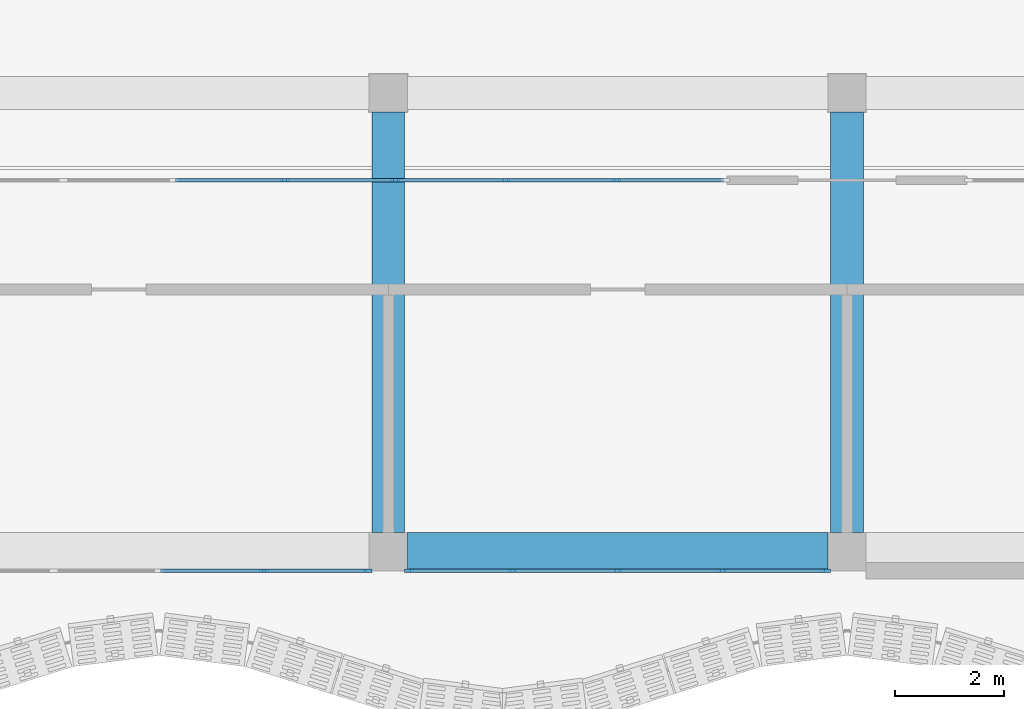
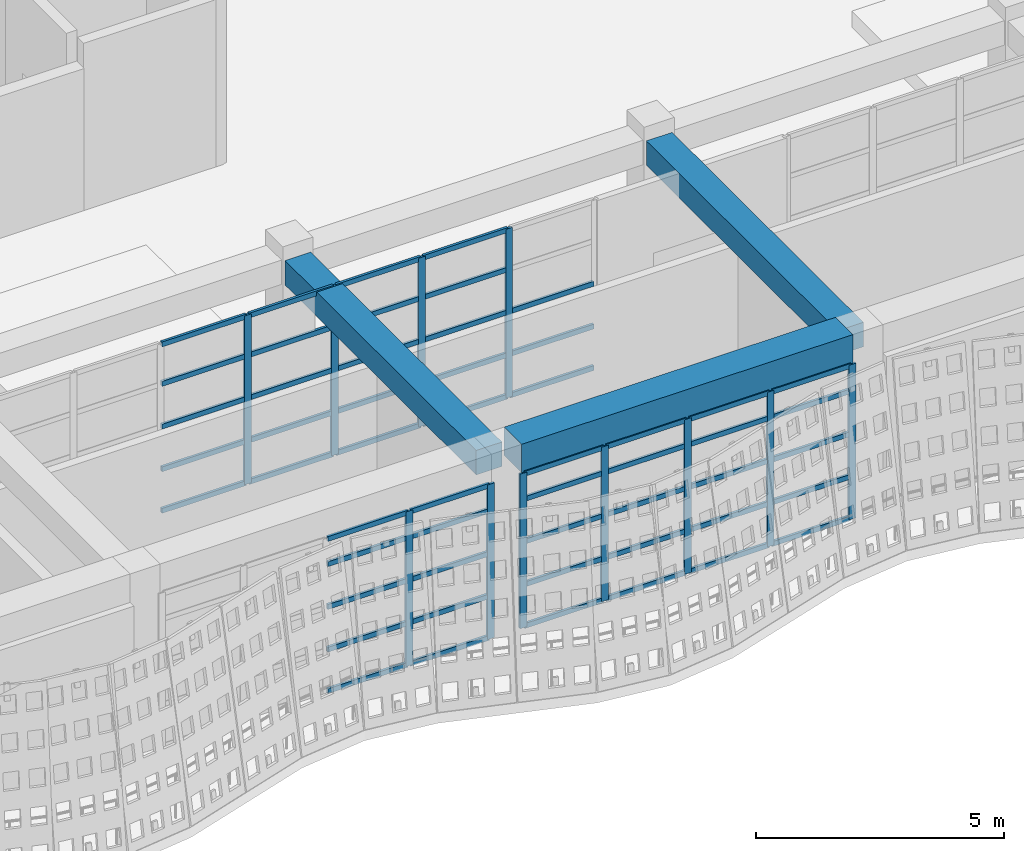
# One storey, part 3 of 85: 64 members, 3 beams, 3 elements without a shape of their own.
"""IFC4 building model written with IfcOpenShell, lengths in metres."""

from ifc_helpers import new_model, si_unit, direction, frame, origin, origin_2d, place, context, subcontext, project, spatial, rectangle, extrude, material, material_profile, profile_set, type_object, element, aggregate, save


model = new_model("IFC4")

# Units and contexts
model_context = context("Model", 3, precision=1e-05, world=origin(), true_north=direction((0.0, 1.0)))
body_context = subcontext(model_context, "Body", "Model", "MODEL_VIEW")
ifc_project = project(units=[si_unit("LENGTHUNIT", "METRE"), si_unit("AREAUNIT", "SQUARE_METRE"), si_unit("VOLUMEUNIT", "CUBIC_METRE"), si_unit("PLANEANGLEUNIT", "RADIAN"), si_unit("MASSUNIT", "GRAM", prefix="KILO")], contexts=[model_context])

# Site, building, storey
site_placement = place(None, origin())
site = spatial("IfcSite", under=ifc_project, at=site_placement, CompositionType="ELEMENT")
building_placement = place(site_placement, origin())
building = spatial("IfcBuilding", under=site, at=building_placement, Name="Rain Tree Exposition and Congress Centre", CompositionType="ELEMENT")
storey_placement = place(building_placement, frame((0.0, 0.0, 15.0)))
storey = spatial("IfcBuildingStorey", under=building, at=storey_placement, Name="L03", CompositionType="ELEMENT", Elevation=15.0)

# Beams
ifc_material_1 = material(Name="Precast concrete C50/60", Category="concrete")
ifc_material_profile_1 = material_profile(ifc_material_1, rectangle(XDim=0.60009765625, YDim=0.60009765625, at=origin_2d()), Name="RC 600x600")
ifc_profile_set_1 = profile_set([ifc_material_profile_1], Name="Precast concrete C50/60")
beam_type_1 = type_object("IfcBeamType", Name="Precast beam 600x600", PredefinedType="BEAM", material=ifc_profile_set_1)
for number, where, z_axis, x_axis, name in (
    (1, (16.800048828125, 0.35009765625, 3.85009765625), (0.0, 1.0, 0.0), (-1.0, 0.0, 0.0), "wing/beam/L03/RF/026"),
    (2, (25.199951171875, 0.35009765625, 3.85009765625), (0.0, 1.0, 0.0), (-1.0, 0.0, 0.0), "wing/beam/L03/RF/034"),
):
    element("IfcBeam", number, at=place(storey_placement, frame(where, z_axis=z_axis, x_axis=x_axis)), inside=storey, type_object=beam_type_1, Name=name, PredefinedType="BEAM", context=body_context, shape_type="SweptSolid", body=[
        extrude(rectangle(XDim=0.60009765625, YDim=0.60009765625, at=origin_2d()), origin(), (0.0, 0.0, 1.0), 7.699951171875),
    ])
ifc_material_2 = material(Name="Precast concrete C50/60", Category="concrete")
ifc_material_profile_2 = material_profile(ifc_material_2, rectangle(XDim=0.699951171875, YDim=0.699951171875, at=origin_2d()), Name="RC 700x700")
ifc_profile_set_2 = profile_set([ifc_material_profile_2], Name="Precast concrete C50/60")
beam_type_2 = type_object("IfcBeamType", Name="Precast spandrel beam 700x700", PredefinedType="SPANDREL", material=ifc_profile_set_2)
beam_placement = place(storey_placement, frame((17.14990234375, 0.0, 4.14990234375), z_axis=(1.0, 0.0, 0.0), x_axis=(0.0, 1.0, 0.0)))
element("IfcBeam", 3, at=beam_placement, inside=storey, type_object=beam_type_2, Name="wing/beam/L03/RF/005", PredefinedType="SPANDREL", context=body_context, shape_type="SweptSolid", body=[
    extrude(rectangle(XDim=0.699951171875, YDim=0.699951171875, at=origin_2d()), origin(), (0.0, 0.0, 1.0), 7.7001953125),
])

# Curtain wall, members
ifc_material_3 = material(Name="Aluminium curtain wall", Category="aluminium")
curtain_wall_type = type_object("IfcCurtainWallType", Name="Wing curtain wall 1925", PredefinedType="NOTDEFINED", material=ifc_material_3)
curtain_wall_1_placement = place(storey_placement, origin())
curtain_wall_1 = element("IfcCurtainWall", 4, at=curtain_wall_1_placement, inside=storey, type_object=curtain_wall_type, Name="Curtain wall CWW401", PredefinedType="NOTDEFINED")
ifc_material_4 = material(Name="Aluminium", Category="aluminium")
ifc_material_profile_3 = material_profile(ifc_material_4, rectangle(XDim=0.06005859375, YDim=0.159912109375, at=origin_2d()), Name="Aluminium 60x160")
ifc_profile_set_3 = profile_set([ifc_material_profile_3], Name="Aluminium")
member_type_1 = type_object("IfcMemberType", Name="Wing mullion 60x160", PredefinedType="MULLION", material=ifc_profile_set_3)
member_1_placement = place(storey_placement, frame((14.52490234375, -0.35009765625, 0.0), z_axis=(0.0, 0.0, 1.0), x_axis=(0.0, 1.0, 0.0)))
member_1 = element("IfcMember", 5, at=member_1_placement, type_object=member_type_1, Name="CWW401 mullion 4", PredefinedType="MULLION", context=body_context, shape_type="SweptSolid", body=[
    extrude(rectangle(XDim=0.06005859375, YDim=0.159912109375, at=origin_2d()), origin(), (0.0, 0.0, 1.0), 3.800048828125),
])
member_2_placement = place(storey_placement, frame((16.419921875, -0.35009765625, 0.0), z_axis=(0.0, 0.0, 1.0), x_axis=(0.0, 1.0, 0.0)))
member_2 = element("IfcMember", 6, at=member_2_placement, type_object=member_type_1, Name="CWW401 mullion 5", PredefinedType="MULLION", context=body_context, shape_type="SweptSolid", body=[
    extrude(rectangle(XDim=0.06005859375, YDim=0.159912109375, at=origin_2d()), origin(), (0.0, 0.0, 1.0), 3.800048828125),
])

curtain_wall_2_placement = place(storey_placement, origin())
curtain_wall_2 = element("IfcCurtainWall", 7, at=curtain_wall_2_placement, inside=storey, type_object=curtain_wall_type, Name="Curtain wall CWW402", PredefinedType="NOTDEFINED")
member_3_placement = place(storey_placement, frame((17.179931640625, -0.35009765625, 0.0), z_axis=(0.0, 0.0, 1.0), x_axis=(0.0, 1.0, 0.0)))
member_3 = element("IfcMember", 8, at=member_3_placement, type_object=member_type_1, Name="CWW402 mullion 1", PredefinedType="MULLION", context=body_context, shape_type="SweptSolid", body=[
    extrude(rectangle(XDim=0.06005859375, YDim=0.159912109375, at=origin_2d()), origin(), (0.0, 0.0, 1.0), 3.800048828125),
])
member_4_placement = place(storey_placement, frame((19.074951171875, -0.35009765625, 0.0), z_axis=(0.0, 0.0, 1.0), x_axis=(0.0, 1.0, 0.0)))
member_4 = element("IfcMember", 9, at=member_4_placement, type_object=member_type_1, Name="CWW402 mullion 2", PredefinedType="MULLION", context=body_context, shape_type="SweptSolid", body=[
    extrude(rectangle(XDim=0.06005859375, YDim=0.159912109375, at=origin_2d()), origin(), (0.0, 0.0, 1.0), 3.800048828125),
])
member_5_placement = place(storey_placement, frame((21.0, -0.35009765625, 0.0), z_axis=(0.0, 0.0, 1.0), x_axis=(0.0, 1.0, 0.0)))
member_5 = element("IfcMember", 10, at=member_5_placement, type_object=member_type_1, Name="CWW402 mullion 3", PredefinedType="MULLION", context=body_context, shape_type="SweptSolid", body=[
    extrude(rectangle(XDim=0.06005859375, YDim=0.159912109375, at=origin_2d()), origin(), (0.0, 0.0, 1.0), 3.800048828125),
])
member_6_placement = place(storey_placement, frame((22.925048828125, -0.35009765625, 0.0), z_axis=(0.0, 0.0, 1.0), x_axis=(0.0, 1.0, 0.0)))
member_6 = element("IfcMember", 11, at=member_6_placement, type_object=member_type_1, Name="CWW402 mullion 4", PredefinedType="MULLION", context=body_context, shape_type="SweptSolid", body=[
    extrude(rectangle(XDim=0.06005859375, YDim=0.159912109375, at=origin_2d()), origin(), (0.0, 0.0, 1.0), 3.800048828125),
])
member_7_placement = place(storey_placement, frame((24.820068359375, -0.35009765625, 0.0), z_axis=(0.0, 0.0, 1.0), x_axis=(0.0, 1.0, 0.0)))
member_7 = element("IfcMember", 12, at=member_7_placement, type_object=member_type_1, Name="CWW402 mullion 5", PredefinedType="MULLION", context=body_context, shape_type="SweptSolid", body=[
    extrude(rectangle(XDim=0.06005859375, YDim=0.159912109375, at=origin_2d()), origin(), (0.0, 0.0, 1.0), 3.800048828125),
])

curtain_wall_3_placement = place(storey_placement, origin())
curtain_wall_3 = element("IfcCurtainWall", 13, at=curtain_wall_3_placement, inside=storey, type_object=curtain_wall_type, Name="Curtain wall CWW501", PredefinedType="NOTDEFINED")
member_8_placement = place(storey_placement, frame((14.89990234375, 6.800048828125, 0.0), z_axis=(0.0, 0.0, 1.0), x_axis=(0.0, 1.0, 0.0)))
member_8 = element("IfcMember", 14, at=member_8_placement, type_object=member_type_1, Name="CWW501 mullion 5", PredefinedType="MULLION", context=body_context, shape_type="SweptSolid", body=[
    extrude(rectangle(XDim=0.06005859375, YDim=0.159912109375, at=origin_2d()), origin(), (0.0, 0.0, 1.0), 4.14990234375),
])
member_9_placement = place(storey_placement, frame((16.925048828125, 6.800048828125, 0.0), z_axis=(0.0, 0.0, 1.0), x_axis=(0.0, 1.0, 0.0)))
member_9 = element("IfcMember", 15, at=member_9_placement, type_object=member_type_1, Name="CWW501 mullion 6", PredefinedType="MULLION", context=body_context, shape_type="SweptSolid", body=[
    extrude(rectangle(XDim=0.06005859375, YDim=0.159912109375, at=origin_2d()), origin(), (0.0, 0.0, 1.0), 4.14990234375),
])
member_10_placement = place(storey_placement, frame((18.949951171875, 6.800048828125, 0.0), z_axis=(0.0, 0.0, 1.0), x_axis=(0.0, 1.0, 0.0)))
member_10 = element("IfcMember", 16, at=member_10_placement, type_object=member_type_1, Name="CWW501 mullion 7", PredefinedType="MULLION", context=body_context, shape_type="SweptSolid", body=[
    extrude(rectangle(XDim=0.06005859375, YDim=0.159912109375, at=origin_2d()), origin(), (0.0, 0.0, 1.0), 4.14990234375),
])
member_11_placement = place(storey_placement, frame((20.97509765625, 6.800048828125, 0.0), z_axis=(0.0, 0.0, 1.0), x_axis=(0.0, 1.0, 0.0)))
member_11 = element("IfcMember", 17, at=member_11_placement, type_object=member_type_1, Name="CWW501 mullion 8", PredefinedType="MULLION", context=body_context, shape_type="SweptSolid", body=[
    extrude(rectangle(XDim=0.06005859375, YDim=0.159912109375, at=origin_2d()), origin(), (0.0, 0.0, 1.0), 4.14990234375),
])

# Member
ifc_material_5 = material(Name="Aluminium", Category="aluminium")
ifc_material_profile_4 = material_profile(ifc_material_5, rectangle(XDim=0.06005859375, YDim=0.1201171875, at=origin_2d()), Name="Aluminium 60x120")
ifc_profile_set_4 = profile_set([ifc_material_profile_4], Name="Aluminium")
member_type_2 = type_object("IfcMemberType", Name="Wing transom 60x120", PredefinedType="USERDEFINED", material=ifc_profile_set_4)
member_12_placement = place(storey_placement, frame((12.6298828125, -0.35009765625, 0.030029296875), z_axis=(1.0, 0.0, 0.0), x_axis=(0.0, 1.0, 0.0)))
member_12 = element("IfcMember", 18, at=member_12_placement, type_object=member_type_2, Name="CWW401 transom 3.1", ObjectType="TRANSOM", PredefinedType="USERDEFINED", context=body_context, shape_type="SweptSolid", body=[
    extrude(rectangle(XDim=0.06005859375, YDim=0.1201171875, at=origin_2d()), origin(), (0.0, 0.0, 1.0), 1.865234375),
])

member_13_placement = place(storey_placement, frame((12.6298828125, -0.35009765625, 1.050048828125), z_axis=(1.0, 0.0, 0.0), x_axis=(0.0, 1.0, 0.0)))
member_13 = element("IfcMember", 19, at=member_13_placement, type_object=member_type_2, Name="CWW401 transom 3.2", ObjectType="TRANSOM", PredefinedType="USERDEFINED", context=body_context, shape_type="SweptSolid", body=[
    extrude(rectangle(XDim=0.06005859375, YDim=0.1201171875, at=origin_2d()), origin(), (0.0, 0.0, 1.0), 1.865234375),
])

member_14_placement = place(storey_placement, frame((12.6298828125, -0.35009765625, 2.10009765625), z_axis=(1.0, 0.0, 0.0), x_axis=(0.0, 1.0, 0.0)))
member_14 = element("IfcMember", 20, at=member_14_placement, type_object=member_type_2, Name="CWW401 transom 3.3", ObjectType="TRANSOM", PredefinedType="USERDEFINED", context=body_context, shape_type="SweptSolid", body=[
    extrude(rectangle(XDim=0.06005859375, YDim=0.1201171875, at=origin_2d()), origin(), (0.0, 0.0, 1.0), 1.865234375),
])

member_15_placement = place(storey_placement, frame((12.6298828125, -0.35009765625, 3.14990234375), z_axis=(1.0, 0.0, 0.0), x_axis=(0.0, 1.0, 0.0)))
member_15 = element("IfcMember", 21, at=member_15_placement, type_object=member_type_2, Name="CWW401 transom 3.4", ObjectType="TRANSOM", PredefinedType="USERDEFINED", context=body_context, shape_type="SweptSolid", body=[
    extrude(rectangle(XDim=0.06005859375, YDim=0.1201171875, at=origin_2d()), origin(), (0.0, 0.0, 1.0), 1.865234375),
])

member_16_placement = place(storey_placement, frame((12.6298828125, -0.35009765625, 3.77001953125), z_axis=(1.0, 0.0, 0.0), x_axis=(0.0, 1.0, 0.0)))
member_16 = element("IfcMember", 22, at=member_16_placement, type_object=member_type_2, Name="CWW401 transom 3.5", ObjectType="TRANSOM", PredefinedType="USERDEFINED", context=body_context, shape_type="SweptSolid", body=[
    extrude(rectangle(XDim=0.06005859375, YDim=0.1201171875, at=origin_2d()), origin(), (0.0, 0.0, 1.0), 1.865234375),
])

member_17_placement = place(storey_placement, frame((14.554931640625, -0.35009765625, 0.030029296875), z_axis=(1.0, 0.0, 0.0), x_axis=(0.0, 1.0, 0.0)))
member_17 = element("IfcMember", 23, at=member_17_placement, type_object=member_type_2, Name="CWW401 transom 4.1", ObjectType="TRANSOM", PredefinedType="USERDEFINED", context=body_context, shape_type="SweptSolid", body=[
    extrude(rectangle(XDim=0.06005859375, YDim=0.1201171875, at=origin_2d()), origin(), (0.0, 0.0, 1.0), 1.8349609375),
])

member_18_placement = place(storey_placement, frame((14.554931640625, -0.35009765625, 1.050048828125), z_axis=(1.0, 0.0, 0.0), x_axis=(0.0, 1.0, 0.0)))
member_18 = element("IfcMember", 24, at=member_18_placement, type_object=member_type_2, Name="CWW401 transom 4.2", ObjectType="TRANSOM", PredefinedType="USERDEFINED", context=body_context, shape_type="SweptSolid", body=[
    extrude(rectangle(XDim=0.06005859375, YDim=0.1201171875, at=origin_2d()), origin(), (0.0, 0.0, 1.0), 1.8349609375),
])

member_19_placement = place(storey_placement, frame((14.554931640625, -0.35009765625, 2.10009765625), z_axis=(1.0, 0.0, 0.0), x_axis=(0.0, 1.0, 0.0)))
member_19 = element("IfcMember", 25, at=member_19_placement, type_object=member_type_2, Name="CWW401 transom 4.3", ObjectType="TRANSOM", PredefinedType="USERDEFINED", context=body_context, shape_type="SweptSolid", body=[
    extrude(rectangle(XDim=0.06005859375, YDim=0.1201171875, at=origin_2d()), origin(), (0.0, 0.0, 1.0), 1.8349609375),
])

member_20_placement = place(storey_placement, frame((14.554931640625, -0.35009765625, 3.14990234375), z_axis=(1.0, 0.0, 0.0), x_axis=(0.0, 1.0, 0.0)))
member_20 = element("IfcMember", 26, at=member_20_placement, type_object=member_type_2, Name="CWW401 transom 4.4", ObjectType="TRANSOM", PredefinedType="USERDEFINED", context=body_context, shape_type="SweptSolid", body=[
    extrude(rectangle(XDim=0.06005859375, YDim=0.1201171875, at=origin_2d()), origin(), (0.0, 0.0, 1.0), 1.8349609375),
])

member_21_placement = place(storey_placement, frame((14.554931640625, -0.35009765625, 3.77001953125), z_axis=(1.0, 0.0, 0.0), x_axis=(0.0, 1.0, 0.0)))
member_21 = element("IfcMember", 27, at=member_21_placement, type_object=member_type_2, Name="CWW401 transom 4.5", ObjectType="TRANSOM", PredefinedType="USERDEFINED", context=body_context, shape_type="SweptSolid", body=[
    extrude(rectangle(XDim=0.06005859375, YDim=0.1201171875, at=origin_2d()), origin(), (0.0, 0.0, 1.0), 1.8349609375),
])

aggregate(curtain_wall_1, [member_1, member_2, member_12, member_13, member_14, member_15, member_16, member_17, member_18, member_19, member_20, member_21])

member_22_placement = place(storey_placement, frame((17.2099609375, -0.35009765625, 0.030029296875), z_axis=(1.0, 0.0, 0.0), x_axis=(0.0, 1.0, 0.0)))
member_22 = element("IfcMember", 28, at=member_22_placement, type_object=member_type_2, Name="CWW402 transom 1.1", ObjectType="TRANSOM", PredefinedType="USERDEFINED", context=body_context, shape_type="SweptSolid", body=[
    extrude(rectangle(XDim=0.06005859375, YDim=0.1201171875, at=origin_2d()), origin(), (0.0, 0.0, 1.0), 1.8349609375),
])

member_23_placement = place(storey_placement, frame((17.2099609375, -0.35009765625, 1.050048828125), z_axis=(1.0, 0.0, 0.0), x_axis=(0.0, 1.0, 0.0)))
member_23 = element("IfcMember", 29, at=member_23_placement, type_object=member_type_2, Name="CWW402 transom 1.2", ObjectType="TRANSOM", PredefinedType="USERDEFINED", context=body_context, shape_type="SweptSolid", body=[
    extrude(rectangle(XDim=0.06005859375, YDim=0.1201171875, at=origin_2d()), origin(), (0.0, 0.0, 1.0), 1.8349609375),
])

member_24_placement = place(storey_placement, frame((17.2099609375, -0.35009765625, 2.10009765625), z_axis=(1.0, 0.0, 0.0), x_axis=(0.0, 1.0, 0.0)))
member_24 = element("IfcMember", 30, at=member_24_placement, type_object=member_type_2, Name="CWW402 transom 1.3", ObjectType="TRANSOM", PredefinedType="USERDEFINED", context=body_context, shape_type="SweptSolid", body=[
    extrude(rectangle(XDim=0.06005859375, YDim=0.1201171875, at=origin_2d()), origin(), (0.0, 0.0, 1.0), 1.8349609375),
])

member_25_placement = place(storey_placement, frame((17.2099609375, -0.35009765625, 3.14990234375), z_axis=(1.0, 0.0, 0.0), x_axis=(0.0, 1.0, 0.0)))
member_25 = element("IfcMember", 31, at=member_25_placement, type_object=member_type_2, Name="CWW402 transom 1.4", ObjectType="TRANSOM", PredefinedType="USERDEFINED", context=body_context, shape_type="SweptSolid", body=[
    extrude(rectangle(XDim=0.06005859375, YDim=0.1201171875, at=origin_2d()), origin(), (0.0, 0.0, 1.0), 1.8349609375),
])

member_26_placement = place(storey_placement, frame((17.2099609375, -0.35009765625, 3.77001953125), z_axis=(1.0, 0.0, 0.0), x_axis=(0.0, 1.0, 0.0)))
member_26 = element("IfcMember", 32, at=member_26_placement, type_object=member_type_2, Name="CWW402 transom 1.5", ObjectType="TRANSOM", PredefinedType="USERDEFINED", context=body_context, shape_type="SweptSolid", body=[
    extrude(rectangle(XDim=0.06005859375, YDim=0.1201171875, at=origin_2d()), origin(), (0.0, 0.0, 1.0), 1.8349609375),
])

member_27_placement = place(storey_placement, frame((19.10498046875, -0.35009765625, 0.030029296875), z_axis=(1.0, 0.0, 0.0), x_axis=(0.0, 1.0, 0.0)))
member_27 = element("IfcMember", 33, at=member_27_placement, type_object=member_type_2, Name="CWW402 transom 2.1", ObjectType="TRANSOM", PredefinedType="USERDEFINED", context=body_context, shape_type="SweptSolid", body=[
    extrude(rectangle(XDim=0.06005859375, YDim=0.1201171875, at=origin_2d()), origin(), (0.0, 0.0, 1.0), 1.864990234375),
])

member_28_placement = place(storey_placement, frame((19.10498046875, -0.35009765625, 1.050048828125), z_axis=(1.0, 0.0, 0.0), x_axis=(0.0, 1.0, 0.0)))
member_28 = element("IfcMember", 34, at=member_28_placement, type_object=member_type_2, Name="CWW402 transom 2.2", ObjectType="TRANSOM", PredefinedType="USERDEFINED", context=body_context, shape_type="SweptSolid", body=[
    extrude(rectangle(XDim=0.06005859375, YDim=0.1201171875, at=origin_2d()), origin(), (0.0, 0.0, 1.0), 1.864990234375),
])

member_29_placement = place(storey_placement, frame((19.10498046875, -0.35009765625, 2.10009765625), z_axis=(1.0, 0.0, 0.0), x_axis=(0.0, 1.0, 0.0)))
member_29 = element("IfcMember", 35, at=member_29_placement, type_object=member_type_2, Name="CWW402 transom 2.3", ObjectType="TRANSOM", PredefinedType="USERDEFINED", context=body_context, shape_type="SweptSolid", body=[
    extrude(rectangle(XDim=0.06005859375, YDim=0.1201171875, at=origin_2d()), origin(), (0.0, 0.0, 1.0), 1.864990234375),
])

member_30_placement = place(storey_placement, frame((19.10498046875, -0.35009765625, 3.14990234375), z_axis=(1.0, 0.0, 0.0), x_axis=(0.0, 1.0, 0.0)))
member_30 = element("IfcMember", 36, at=member_30_placement, type_object=member_type_2, Name="CWW402 transom 2.4", ObjectType="TRANSOM", PredefinedType="USERDEFINED", context=body_context, shape_type="SweptSolid", body=[
    extrude(rectangle(XDim=0.06005859375, YDim=0.1201171875, at=origin_2d()), origin(), (0.0, 0.0, 1.0), 1.864990234375),
])

member_31_placement = place(storey_placement, frame((19.10498046875, -0.35009765625, 3.77001953125), z_axis=(1.0, 0.0, 0.0), x_axis=(0.0, 1.0, 0.0)))
member_31 = element("IfcMember", 37, at=member_31_placement, type_object=member_type_2, Name="CWW402 transom 2.5", ObjectType="TRANSOM", PredefinedType="USERDEFINED", context=body_context, shape_type="SweptSolid", body=[
    extrude(rectangle(XDim=0.06005859375, YDim=0.1201171875, at=origin_2d()), origin(), (0.0, 0.0, 1.0), 1.864990234375),
])

member_32_placement = place(storey_placement, frame((21.030029296875, -0.35009765625, 0.030029296875), z_axis=(1.0, 0.0, 0.0), x_axis=(0.0, 1.0, 0.0)))
member_32 = element("IfcMember", 38, at=member_32_placement, type_object=member_type_2, Name="CWW402 transom 3.1", ObjectType="TRANSOM", PredefinedType="USERDEFINED", context=body_context, shape_type="SweptSolid", body=[
    extrude(rectangle(XDim=0.06005859375, YDim=0.1201171875, at=origin_2d()), origin(), (0.0, 0.0, 1.0), 1.864990234375),
])

member_33_placement = place(storey_placement, frame((21.030029296875, -0.35009765625, 1.050048828125), z_axis=(1.0, 0.0, 0.0), x_axis=(0.0, 1.0, 0.0)))
member_33 = element("IfcMember", 39, at=member_33_placement, type_object=member_type_2, Name="CWW402 transom 3.2", ObjectType="TRANSOM", PredefinedType="USERDEFINED", context=body_context, shape_type="SweptSolid", body=[
    extrude(rectangle(XDim=0.06005859375, YDim=0.1201171875, at=origin_2d()), origin(), (0.0, 0.0, 1.0), 1.864990234375),
])

member_34_placement = place(storey_placement, frame((21.030029296875, -0.35009765625, 2.10009765625), z_axis=(1.0, 0.0, 0.0), x_axis=(0.0, 1.0, 0.0)))
member_34 = element("IfcMember", 40, at=member_34_placement, type_object=member_type_2, Name="CWW402 transom 3.3", ObjectType="TRANSOM", PredefinedType="USERDEFINED", context=body_context, shape_type="SweptSolid", body=[
    extrude(rectangle(XDim=0.06005859375, YDim=0.1201171875, at=origin_2d()), origin(), (0.0, 0.0, 1.0), 1.864990234375),
])

member_35_placement = place(storey_placement, frame((21.030029296875, -0.35009765625, 3.14990234375), z_axis=(1.0, 0.0, 0.0), x_axis=(0.0, 1.0, 0.0)))
member_35 = element("IfcMember", 41, at=member_35_placement, type_object=member_type_2, Name="CWW402 transom 3.4", ObjectType="TRANSOM", PredefinedType="USERDEFINED", context=body_context, shape_type="SweptSolid", body=[
    extrude(rectangle(XDim=0.06005859375, YDim=0.1201171875, at=origin_2d()), origin(), (0.0, 0.0, 1.0), 1.864990234375),
])

member_36_placement = place(storey_placement, frame((21.030029296875, -0.35009765625, 3.77001953125), z_axis=(1.0, 0.0, 0.0), x_axis=(0.0, 1.0, 0.0)))
member_36 = element("IfcMember", 42, at=member_36_placement, type_object=member_type_2, Name="CWW402 transom 3.5", ObjectType="TRANSOM", PredefinedType="USERDEFINED", context=body_context, shape_type="SweptSolid", body=[
    extrude(rectangle(XDim=0.06005859375, YDim=0.1201171875, at=origin_2d()), origin(), (0.0, 0.0, 1.0), 1.864990234375),
])

member_37_placement = place(storey_placement, frame((22.955078125, -0.35009765625, 0.030029296875), z_axis=(1.0, 0.0, 0.0), x_axis=(0.0, 1.0, 0.0)))
member_37 = element("IfcMember", 43, at=member_37_placement, type_object=member_type_2, Name="CWW402 transom 4.1", ObjectType="TRANSOM", PredefinedType="USERDEFINED", context=body_context, shape_type="SweptSolid", body=[
    extrude(rectangle(XDim=0.06005859375, YDim=0.1201171875, at=origin_2d()), origin(), (0.0, 0.0, 1.0), 1.8349609375),
])

member_38_placement = place(storey_placement, frame((22.955078125, -0.35009765625, 1.050048828125), z_axis=(1.0, 0.0, 0.0), x_axis=(0.0, 1.0, 0.0)))
member_38 = element("IfcMember", 44, at=member_38_placement, type_object=member_type_2, Name="CWW402 transom 4.2", ObjectType="TRANSOM", PredefinedType="USERDEFINED", context=body_context, shape_type="SweptSolid", body=[
    extrude(rectangle(XDim=0.06005859375, YDim=0.1201171875, at=origin_2d()), origin(), (0.0, 0.0, 1.0), 1.8349609375),
])

member_39_placement = place(storey_placement, frame((22.955078125, -0.35009765625, 2.10009765625), z_axis=(1.0, 0.0, 0.0), x_axis=(0.0, 1.0, 0.0)))
member_39 = element("IfcMember", 45, at=member_39_placement, type_object=member_type_2, Name="CWW402 transom 4.3", ObjectType="TRANSOM", PredefinedType="USERDEFINED", context=body_context, shape_type="SweptSolid", body=[
    extrude(rectangle(XDim=0.06005859375, YDim=0.1201171875, at=origin_2d()), origin(), (0.0, 0.0, 1.0), 1.8349609375),
])

member_40_placement = place(storey_placement, frame((22.955078125, -0.35009765625, 3.14990234375), z_axis=(1.0, 0.0, 0.0), x_axis=(0.0, 1.0, 0.0)))
member_40 = element("IfcMember", 46, at=member_40_placement, type_object=member_type_2, Name="CWW402 transom 4.4", ObjectType="TRANSOM", PredefinedType="USERDEFINED", context=body_context, shape_type="SweptSolid", body=[
    extrude(rectangle(XDim=0.06005859375, YDim=0.1201171875, at=origin_2d()), origin(), (0.0, 0.0, 1.0), 1.8349609375),
])

member_41_placement = place(storey_placement, frame((22.955078125, -0.35009765625, 3.77001953125), z_axis=(1.0, 0.0, 0.0), x_axis=(0.0, 1.0, 0.0)))
member_41 = element("IfcMember", 47, at=member_41_placement, type_object=member_type_2, Name="CWW402 transom 4.5", ObjectType="TRANSOM", PredefinedType="USERDEFINED", context=body_context, shape_type="SweptSolid", body=[
    extrude(rectangle(XDim=0.06005859375, YDim=0.1201171875, at=origin_2d()), origin(), (0.0, 0.0, 1.0), 1.8349609375),
])

aggregate(curtain_wall_2, [member_3, member_4, member_5, member_6, member_7, member_22, member_23, member_24, member_25, member_26, member_27, member_28, member_29, member_30, member_31, member_32, member_33, member_34, member_35, member_36, member_37, member_38, member_39, member_40, member_41])

member_42_placement = place(storey_placement, frame((12.905029296875, 6.800048828125, 0.030029296875), z_axis=(1.0, 0.0, 0.0), x_axis=(0.0, 1.0, 0.0)))
member_42 = element("IfcMember", 48, at=member_42_placement, type_object=member_type_2, Name="CWW501 transom 4.1", ObjectType="TRANSOM", PredefinedType="USERDEFINED", context=body_context, shape_type="SweptSolid", body=[
    extrude(rectangle(XDim=0.06005859375, YDim=0.1201171875, at=origin_2d()), origin(), (0.0, 0.0, 1.0), 1.965087890625),
])

member_43_placement = place(storey_placement, frame((12.905029296875, 6.800048828125, 1.050048828125), z_axis=(1.0, 0.0, 0.0), x_axis=(0.0, 1.0, 0.0)))
member_43 = element("IfcMember", 49, at=member_43_placement, type_object=member_type_2, Name="CWW501 transom 4.2", ObjectType="TRANSOM", PredefinedType="USERDEFINED", context=body_context, shape_type="SweptSolid", body=[
    extrude(rectangle(XDim=0.06005859375, YDim=0.1201171875, at=origin_2d()), origin(), (0.0, 0.0, 1.0), 1.965087890625),
])

member_44_placement = place(storey_placement, frame((12.905029296875, 6.800048828125, 2.10009765625), z_axis=(1.0, 0.0, 0.0), x_axis=(0.0, 1.0, 0.0)))
member_44 = element("IfcMember", 50, at=member_44_placement, type_object=member_type_2, Name="CWW501 transom 4.3", ObjectType="TRANSOM", PredefinedType="USERDEFINED", context=body_context, shape_type="SweptSolid", body=[
    extrude(rectangle(XDim=0.06005859375, YDim=0.1201171875, at=origin_2d()), origin(), (0.0, 0.0, 1.0), 1.965087890625),
])

member_45_placement = place(storey_placement, frame((12.905029296875, 6.800048828125, 3.14990234375), z_axis=(1.0, 0.0, 0.0), x_axis=(0.0, 1.0, 0.0)))
member_45 = element("IfcMember", 51, at=member_45_placement, type_object=member_type_2, Name="CWW501 transom 4.4", ObjectType="TRANSOM", PredefinedType="USERDEFINED", context=body_context, shape_type="SweptSolid", body=[
    extrude(rectangle(XDim=0.06005859375, YDim=0.1201171875, at=origin_2d()), origin(), (0.0, 0.0, 1.0), 1.965087890625),
])

member_46_placement = place(storey_placement, frame((12.905029296875, 6.800048828125, 4.1201171875), z_axis=(1.0, 0.0, 0.0), x_axis=(0.0, 1.0, 0.0)))
member_46 = element("IfcMember", 52, at=member_46_placement, type_object=member_type_2, Name="CWW501 transom 4.5", ObjectType="TRANSOM", PredefinedType="USERDEFINED", context=body_context, shape_type="SweptSolid", body=[
    extrude(rectangle(XDim=0.06005859375, YDim=0.1201171875, at=origin_2d()), origin(), (0.0, 0.0, 1.0), 1.965087890625),
])

member_47_placement = place(storey_placement, frame((14.929931640625, 6.800048828125, 0.030029296875), z_axis=(1.0, 0.0, 0.0), x_axis=(0.0, 1.0, 0.0)))
member_47 = element("IfcMember", 53, at=member_47_placement, type_object=member_type_2, Name="CWW501 transom 5.1", ObjectType="TRANSOM", PredefinedType="USERDEFINED", context=body_context, shape_type="SweptSolid", body=[
    extrude(rectangle(XDim=0.06005859375, YDim=0.1201171875, at=origin_2d()), origin(), (0.0, 0.0, 1.0), 1.965087890625),
])

member_48_placement = place(storey_placement, frame((14.929931640625, 6.800048828125, 1.050048828125), z_axis=(1.0, 0.0, 0.0), x_axis=(0.0, 1.0, 0.0)))
member_48 = element("IfcMember", 54, at=member_48_placement, type_object=member_type_2, Name="CWW501 transom 5.2", ObjectType="TRANSOM", PredefinedType="USERDEFINED", context=body_context, shape_type="SweptSolid", body=[
    extrude(rectangle(XDim=0.06005859375, YDim=0.1201171875, at=origin_2d()), origin(), (0.0, 0.0, 1.0), 1.965087890625),
])

member_49_placement = place(storey_placement, frame((14.929931640625, 6.800048828125, 2.10009765625), z_axis=(1.0, 0.0, 0.0), x_axis=(0.0, 1.0, 0.0)))
member_49 = element("IfcMember", 55, at=member_49_placement, type_object=member_type_2, Name="CWW501 transom 5.3", ObjectType="TRANSOM", PredefinedType="USERDEFINED", context=body_context, shape_type="SweptSolid", body=[
    extrude(rectangle(XDim=0.06005859375, YDim=0.1201171875, at=origin_2d()), origin(), (0.0, 0.0, 1.0), 1.965087890625),
])

member_50_placement = place(storey_placement, frame((14.929931640625, 6.800048828125, 3.14990234375), z_axis=(1.0, 0.0, 0.0), x_axis=(0.0, 1.0, 0.0)))
member_50 = element("IfcMember", 56, at=member_50_placement, type_object=member_type_2, Name="CWW501 transom 5.4", ObjectType="TRANSOM", PredefinedType="USERDEFINED", context=body_context, shape_type="SweptSolid", body=[
    extrude(rectangle(XDim=0.06005859375, YDim=0.1201171875, at=origin_2d()), origin(), (0.0, 0.0, 1.0), 1.965087890625),
])

member_51_placement = place(storey_placement, frame((14.929931640625, 6.800048828125, 4.1201171875), z_axis=(1.0, 0.0, 0.0), x_axis=(0.0, 1.0, 0.0)))
member_51 = element("IfcMember", 57, at=member_51_placement, type_object=member_type_2, Name="CWW501 transom 5.5", ObjectType="TRANSOM", PredefinedType="USERDEFINED", context=body_context, shape_type="SweptSolid", body=[
    extrude(rectangle(XDim=0.06005859375, YDim=0.1201171875, at=origin_2d()), origin(), (0.0, 0.0, 1.0), 1.965087890625),
])

member_52_placement = place(storey_placement, frame((16.955078125, 6.800048828125, 0.030029296875), z_axis=(1.0, 0.0, 0.0), x_axis=(0.0, 1.0, 0.0)))
member_52 = element("IfcMember", 58, at=member_52_placement, type_object=member_type_2, Name="CWW501 transom 6.1", ObjectType="TRANSOM", PredefinedType="USERDEFINED", context=body_context, shape_type="SweptSolid", body=[
    extrude(rectangle(XDim=0.06005859375, YDim=0.1201171875, at=origin_2d()), origin(), (0.0, 0.0, 1.0), 1.96484375),
])

member_53_placement = place(storey_placement, frame((16.955078125, 6.800048828125, 1.050048828125), z_axis=(1.0, 0.0, 0.0), x_axis=(0.0, 1.0, 0.0)))
member_53 = element("IfcMember", 59, at=member_53_placement, type_object=member_type_2, Name="CWW501 transom 6.2", ObjectType="TRANSOM", PredefinedType="USERDEFINED", context=body_context, shape_type="SweptSolid", body=[
    extrude(rectangle(XDim=0.06005859375, YDim=0.1201171875, at=origin_2d()), origin(), (0.0, 0.0, 1.0), 1.96484375),
])

member_54_placement = place(storey_placement, frame((16.955078125, 6.800048828125, 2.10009765625), z_axis=(1.0, 0.0, 0.0), x_axis=(0.0, 1.0, 0.0)))
member_54 = element("IfcMember", 60, at=member_54_placement, type_object=member_type_2, Name="CWW501 transom 6.3", ObjectType="TRANSOM", PredefinedType="USERDEFINED", context=body_context, shape_type="SweptSolid", body=[
    extrude(rectangle(XDim=0.06005859375, YDim=0.1201171875, at=origin_2d()), origin(), (0.0, 0.0, 1.0), 1.96484375),
])

member_55_placement = place(storey_placement, frame((16.955078125, 6.800048828125, 3.14990234375), z_axis=(1.0, 0.0, 0.0), x_axis=(0.0, 1.0, 0.0)))
member_55 = element("IfcMember", 61, at=member_55_placement, type_object=member_type_2, Name="CWW501 transom 6.4", ObjectType="TRANSOM", PredefinedType="USERDEFINED", context=body_context, shape_type="SweptSolid", body=[
    extrude(rectangle(XDim=0.06005859375, YDim=0.1201171875, at=origin_2d()), origin(), (0.0, 0.0, 1.0), 1.96484375),
])

member_56_placement = place(storey_placement, frame((16.955078125, 6.800048828125, 4.1201171875), z_axis=(1.0, 0.0, 0.0), x_axis=(0.0, 1.0, 0.0)))
member_56 = element("IfcMember", 62, at=member_56_placement, type_object=member_type_2, Name="CWW501 transom 6.5", ObjectType="TRANSOM", PredefinedType="USERDEFINED", context=body_context, shape_type="SweptSolid", body=[
    extrude(rectangle(XDim=0.06005859375, YDim=0.1201171875, at=origin_2d()), origin(), (0.0, 0.0, 1.0), 1.96484375),
])

member_57_placement = place(storey_placement, frame((18.97998046875, 6.800048828125, 0.030029296875), z_axis=(1.0, 0.0, 0.0), x_axis=(0.0, 1.0, 0.0)))
member_57 = element("IfcMember", 63, at=member_57_placement, type_object=member_type_2, Name="CWW501 transom 7.1", ObjectType="TRANSOM", PredefinedType="USERDEFINED", context=body_context, shape_type="SweptSolid", body=[
    extrude(rectangle(XDim=0.06005859375, YDim=0.1201171875, at=origin_2d()), origin(), (0.0, 0.0, 1.0), 1.965087890625),
])

member_58_placement = place(storey_placement, frame((18.97998046875, 6.800048828125, 1.050048828125), z_axis=(1.0, 0.0, 0.0), x_axis=(0.0, 1.0, 0.0)))
member_58 = element("IfcMember", 64, at=member_58_placement, type_object=member_type_2, Name="CWW501 transom 7.2", ObjectType="TRANSOM", PredefinedType="USERDEFINED", context=body_context, shape_type="SweptSolid", body=[
    extrude(rectangle(XDim=0.06005859375, YDim=0.1201171875, at=origin_2d()), origin(), (0.0, 0.0, 1.0), 1.965087890625),
])

member_59_placement = place(storey_placement, frame((18.97998046875, 6.800048828125, 2.10009765625), z_axis=(1.0, 0.0, 0.0), x_axis=(0.0, 1.0, 0.0)))
member_59 = element("IfcMember", 65, at=member_59_placement, type_object=member_type_2, Name="CWW501 transom 7.3", ObjectType="TRANSOM", PredefinedType="USERDEFINED", context=body_context, shape_type="SweptSolid", body=[
    extrude(rectangle(XDim=0.06005859375, YDim=0.1201171875, at=origin_2d()), origin(), (0.0, 0.0, 1.0), 1.965087890625),
])

member_60_placement = place(storey_placement, frame((18.97998046875, 6.800048828125, 3.14990234375), z_axis=(1.0, 0.0, 0.0), x_axis=(0.0, 1.0, 0.0)))
member_60 = element("IfcMember", 66, at=member_60_placement, type_object=member_type_2, Name="CWW501 transom 7.4", ObjectType="TRANSOM", PredefinedType="USERDEFINED", context=body_context, shape_type="SweptSolid", body=[
    extrude(rectangle(XDim=0.06005859375, YDim=0.1201171875, at=origin_2d()), origin(), (0.0, 0.0, 1.0), 1.965087890625),
])

member_61_placement = place(storey_placement, frame((18.97998046875, 6.800048828125, 4.1201171875), z_axis=(1.0, 0.0, 0.0), x_axis=(0.0, 1.0, 0.0)))
member_61 = element("IfcMember", 67, at=member_61_placement, type_object=member_type_2, Name="CWW501 transom 7.5", ObjectType="TRANSOM", PredefinedType="USERDEFINED", context=body_context, shape_type="SweptSolid", body=[
    extrude(rectangle(XDim=0.06005859375, YDim=0.1201171875, at=origin_2d()), origin(), (0.0, 0.0, 1.0), 1.965087890625),
])

member_62_placement = place(storey_placement, frame((21.0048828125, 6.800048828125, 0.030029296875), z_axis=(1.0, 0.0, 0.0), x_axis=(0.0, 1.0, 0.0)))
member_62 = element("IfcMember", 68, at=member_62_placement, type_object=member_type_2, Name="CWW501 transom 8.1", ObjectType="TRANSOM", PredefinedType="USERDEFINED", context=body_context, shape_type="SweptSolid", body=[
    extrude(rectangle(XDim=0.06005859375, YDim=0.1201171875, at=origin_2d()), origin(), (0.0, 0.0, 1.0), 1.93505859375),
])

member_63_placement = place(storey_placement, frame((21.0048828125, 6.800048828125, 1.050048828125), z_axis=(1.0, 0.0, 0.0), x_axis=(0.0, 1.0, 0.0)))
member_63 = element("IfcMember", 69, at=member_63_placement, type_object=member_type_2, Name="CWW501 transom 8.2", ObjectType="TRANSOM", PredefinedType="USERDEFINED", context=body_context, shape_type="SweptSolid", body=[
    extrude(rectangle(XDim=0.06005859375, YDim=0.1201171875, at=origin_2d()), origin(), (0.0, 0.0, 1.0), 1.93505859375),
])

member_64_placement = place(storey_placement, frame((21.0048828125, 6.800048828125, 2.10009765625), z_axis=(1.0, 0.0, 0.0), x_axis=(0.0, 1.0, 0.0)))
member_64 = element("IfcMember", 70, at=member_64_placement, type_object=member_type_2, Name="CWW501 transom 8.3", ObjectType="TRANSOM", PredefinedType="USERDEFINED", context=body_context, shape_type="SweptSolid", body=[
    extrude(rectangle(XDim=0.06005859375, YDim=0.1201171875, at=origin_2d()), origin(), (0.0, 0.0, 1.0), 1.93505859375),
])

aggregate(curtain_wall_3, [member_8, member_9, member_10, member_11, member_42, member_43, member_44, member_45, member_46, member_47, member_48, member_49, member_50, member_51, member_52, member_53, member_54, member_55, member_56, member_57, member_58, member_59, member_60, member_61, member_62, member_63, member_64])

save(model, "model.ifc")
